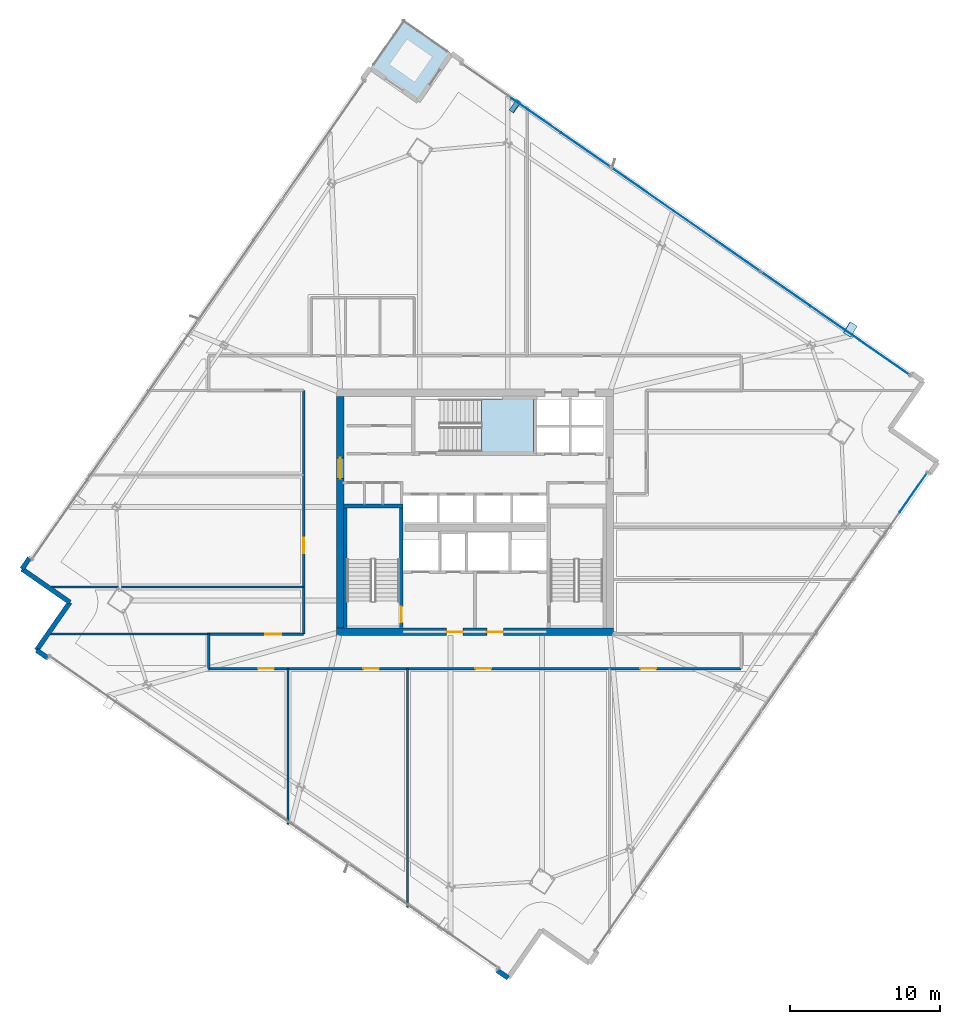
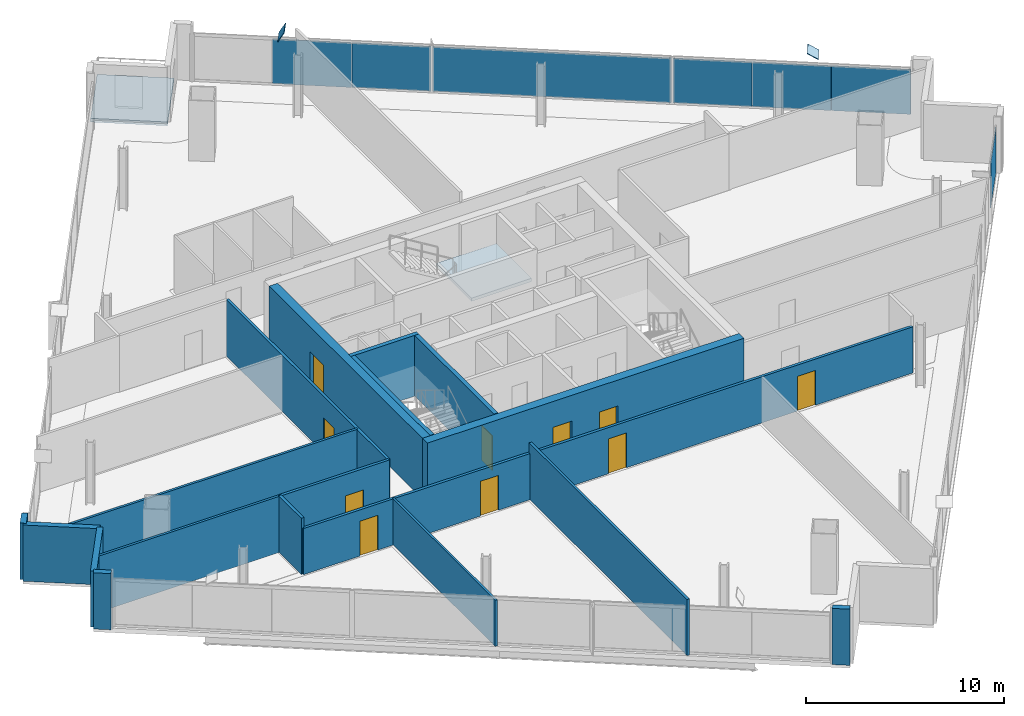
# One storey, part 22 of 30: 18 walls, 10 doors, 9 plates, 2 slabs, 10 openings, 3 elements without a shape of their own.
"""IFC4 building model written with IfcOpenShell, lengths in metres."""

import ifcopenshell
import ifcopenshell.guid

model = None  # the IFC model being written
_history = None  # IfcOwnerHistory: only IFC2X3 demands one
_inside = {}  # id of a spatial element -> (the spatial element, [elements in it])
_under = {}  # id of a project, library or spatial element -> (it, [spatial elements below it])
_declared = {}  # id of a project -> (the project, [libraries it declares])
_typed = {}  # id of a type object -> (the type object, [elements of that type])
_made_of = {}  # id of a material, layer set ... -> (it, [elements and type objects made of it])


def new_model(schema):
    """Start an empty IFC model of exactly this schema.

    Asked for "IFC4X3", IfcOpenShell would pick the latest addendum, in which some entities
    have other attributes; the version numbers below select the first issue.
    IFC2X3 requires an IfcOwnerHistory on every rooted entity: one is made here for all.
    """
    global model, _history
    if schema == "IFC4X3":
        model = ifcopenshell.file(schema_version=(4, 3, 0, 0))
    else:
        model = ifcopenshell.file(schema=schema)
    _inside.clear()
    _under.clear()
    _declared.clear()
    _typed.clear()
    _made_of.clear()
    _history = None
    if model.schema == "IFC2X3":
        org = make("IfcOrganization", Name="unknown")
        user = make(
            "IfcPersonAndOrganization",
            ThePerson=make("IfcPerson", FamilyName="unknown"),
            TheOrganization=org,
        )
        app = make(
            "IfcApplication",
            ApplicationDeveloper=org,
            Version="unknown",
            ApplicationFullName="unknown",
            ApplicationIdentifier="unknown",
        )
        _history = make(
            "IfcOwnerHistory",
            OwningUser=user,
            OwningApplication=app,
            ChangeAction="ADDED",
            CreationDate=0,
        )
    return model


def make(cls, **values):
    """One entity of the class cls with the attributes given. An attribute that is None is left unset."""
    return model.create_entity(
        cls, **{name: value for name, value in values.items() if value is not None}
    )


def rooted(cls, **values):
    """An entity with a GlobalId (a new one), such as an element, a storey or a relation."""
    return make(cls, GlobalId=ifcopenshell.guid.new(), OwnerHistory=_history, **values)


def si_unit(unit_type, name, prefix=None):
    """IfcSIUnit, for example si_unit("LENGTHUNIT", "METRE", prefix="MILLI")."""
    return make("IfcSIUnit", UnitType=unit_type, Prefix=prefix, Name=name)


def assignment(units):
    """IfcUnitAssignment: the units of a project."""
    return None if units is None else make("IfcUnitAssignment", Units=units)


def point(xyz):
    """IfcCartesianPoint."""
    return None if xyz is None else make("IfcCartesianPoint", Coordinates=xyz)


def direction(xyz):
    """IfcDirection."""
    return None if xyz is None else make("IfcDirection", DirectionRatios=xyz)


def frame(location, z_axis=None, x_axis=None):
    """IfcAxis2Placement3D, a coordinate frame: its origin and axes. An axis left out is left unset."""
    return make(
        "IfcAxis2Placement3D",
        Location=point(location),
        Axis=direction(z_axis),
        RefDirection=direction(x_axis),
    )


def frame_2d(location, x_axis=None):
    """IfcAxis2Placement2D, a coordinate frame in the plane: its origin and x axis."""
    return make(
        "IfcAxis2Placement2D", Location=point(location), RefDirection=direction(x_axis)
    )


def origin():
    """The frame at (0, 0, 0) with its axes left unset."""
    return frame((0.0, 0.0, 0.0))


def origin_2d():
    """The frame at (0, 0) in the plane with its x axis left unset."""
    return frame_2d((0.0, 0.0))


def place(relative_to, where):
    """IfcLocalPlacement: puts the frame where relative to a parent placement (None: the world)."""
    return make(
        "IfcLocalPlacement", PlacementRelTo=relative_to, RelativePlacement=where
    )


def context(
    kind, dimensions, precision=None, world=None, true_north=None, identifier=None
):
    """IfcGeometricRepresentationContext, for example the 3D "Model" context."""
    return make(
        "IfcGeometricRepresentationContext",
        ContextIdentifier=identifier,
        ContextType=kind,
        CoordinateSpaceDimension=dimensions,
        Precision=precision,
        WorldCoordinateSystem=world,
        TrueNorth=true_north,
    )


def subcontext(parent, identifier, kind, view, scale=None):
    """IfcGeometricRepresentationSubContext, for example "Body" below "Model"."""
    return make(
        "IfcGeometricRepresentationSubContext",
        ContextIdentifier=identifier,
        ContextType=kind,
        ParentContext=parent,
        TargetScale=scale,
        TargetView=view,
    )


def project(units=None, contexts=None):
    """IfcProject with its units and contexts."""
    return rooted(
        "IfcProject",
        Name="project",
        RepresentationContexts=contexts,
        UnitsInContext=assignment(units),
    )


def spatial(cls, under=None, at=None, **own):
    """A site, building, storey or space (cls), placed at a placement, below another one or the project."""
    s = rooted(cls, ObjectPlacement=at, **own)
    if under is not None:
        _under.setdefault(under.id(), (under, []))[1].append(s)
    return s


def polyline(points):
    """IfcPolyline through the points."""
    return make("IfcPolyline", Points=[point(p) for p in points])


def profile(cls, at=None, kind="AREA", **sizes):
    """A parametric profile (cls). Its sizes go by their IFC names, for example OverallWidth=200.0."""
    return make(cls, ProfileType=kind, Position=at, **sizes)


def rectangle(**sizes):
    """IfcRectangleProfileDef."""
    return profile("IfcRectangleProfileDef", **sizes)


def outline(outer, holes=None, kind="AREA"):
    """IfcArbitraryClosedProfileDef: a profile drawn as a closed curve; with holes, ...WithVoids."""
    if holes is None:
        return make("IfcArbitraryClosedProfileDef", ProfileType=kind, OuterCurve=outer)
    return make(
        "IfcArbitraryProfileDefWithVoids",
        ProfileType=kind,
        OuterCurve=outer,
        InnerCurves=holes,
    )


def extrude(swept, where, along, depth):
    """IfcExtrudedAreaSolid: the profile swept, set in the frame where, extruded along a direction by depth."""
    return make(
        "IfcExtrudedAreaSolid",
        SweptArea=swept,
        Position=where,
        ExtrudedDirection=direction(along),
        Depth=depth,
    )


def shape(context_of_items, identifier, shape_type, items):
    """IfcShapeRepresentation: the items that make up one representation, for example the "Body"."""
    return make(
        "IfcShapeRepresentation",
        ContextOfItems=context_of_items,
        RepresentationIdentifier=identifier,
        RepresentationType=shape_type,
        Items=items,
    )


def source(mapping_origin, context_of_items, identifier, shape_type, items):
    """IfcRepresentationMap: a shape defined once, which mapped items show again and again."""
    return make(
        "IfcRepresentationMap",
        MappingOrigin=mapping_origin,
        MappedRepresentation=shape(context_of_items, identifier, shape_type, items),
    )


def transform(
    local_origin,
    x_axis=None,
    y_axis=None,
    z_axis=None,
    scale=None,
    scale2=None,
    scale3=None,
    uniform=True,
):
    """IfcCartesianTransformationOperator3D, or its non-uniform kind. x_axis, y_axis, z_axis: its Axis1, 2, 3."""
    if uniform:
        return make(
            "IfcCartesianTransformationOperator3D",
            Axis1=direction(x_axis),
            Axis2=direction(y_axis),
            LocalOrigin=point(local_origin),
            Scale=scale,
            Axis3=direction(z_axis),
        )
    return make(
        "IfcCartesianTransformationOperator3DnonUniform",
        Axis1=direction(x_axis),
        Axis2=direction(y_axis),
        LocalOrigin=point(local_origin),
        Scale=scale,
        Axis3=direction(z_axis),
        Scale2=scale2,
        Scale3=scale3,
    )


def mapped(mapping_source, mapping_target):
    """IfcMappedItem: shows the shape of a source again, moved by a transform."""
    return make(
        "IfcMappedItem", MappingSource=mapping_source, MappingTarget=mapping_target
    )


def material(Name=None, Category=None):
    """IfcMaterial."""
    return make("IfcMaterial", Name=Name, Category=Category)


def layer(
    of_material, thickness, ventilated=None, Name=None, Category=None, Priority=None
):
    """IfcMaterialLayer: one layer of a wall or slab, of a material (None: an air gap)."""
    return make(
        "IfcMaterialLayer",
        Material=of_material,
        LayerThickness=thickness,
        IsVentilated=ventilated,
        Name=Name,
        Category=Category,
        Priority=Priority,
    )


def layer_set(layers, Name=None):
    """IfcMaterialLayerSet."""
    return make("IfcMaterialLayerSet", MaterialLayers=layers, LayerSetName=Name)


def made_of(thing, what):
    """Note that an element or type object is made of a material, layer set ...; save() writes the relation."""
    if what is not None:
        _made_of.setdefault(what.id(), (what, []))[1].append(thing)
    return thing


def type_object(cls, material=None, **own):
    """A type object (cls), such as IfcWallType, which elements share."""
    return made_of(rooted(cls, **own), material)


def element(
    cls,
    number,
    at=None,
    inside=None,
    cuts=None,
    type_object=None,
    material=None,
    context=None,
    identifier="Body",
    shape_type=None,
    held_by="IfcProductDefinitionShape",
    body=None,
    shapes=None,
    **own,
):
    """One element of the class cls, such as IfcWall. Its Tag is "e" and its number.

    at: its placement. inside: the storey or other place that contains it. cuts: it is an
    opening in that element (IfcRelVoidsElement). A single representation is given by context,
    identifier, shape_type and body (its items); several are given by shapes. held_by: the class
    of the entity that holds the representations. save() writes the other relations.
    """
    e = rooted(cls, Tag="e%d" % number, ObjectPlacement=at, **own)
    if body is not None:
        shapes = [shape(context, identifier, shape_type, body)]
    if shapes is not None:
        e.Representation = make(held_by, Representations=shapes)
    if inside is not None:
        _inside.setdefault(inside.id(), (inside, []))[1].append(e)
    if cuts is not None:
        rooted(
            "IfcRelVoidsElement", RelatingBuildingElement=cuts, RelatedOpeningElement=e
        )
    if type_object is not None:
        _typed.setdefault(type_object.id(), (type_object, []))[1].append(e)
    return made_of(e, material)


def fill(opening, filler):
    """IfcRelFillsElement: the door or window that sits in an opening."""
    return rooted(
        "IfcRelFillsElement",
        RelatingOpeningElement=opening,
        RelatedBuildingElement=filler,
    )


def aggregate(whole, parts):
    """IfcRelAggregates: a whole, such as a stair, and the parts it consists of."""
    return rooted("IfcRelAggregates", RelatingObject=whole, RelatedObjects=parts)


def save(model, path):
    """Write the relations noted so far, then the file.

    IfcRelAggregates (storeys below a building ...), IfcRelContainedInSpatialStructure (elements
    in a storey), IfcRelDefinesByType, IfcRelAssociatesMaterial and IfcRelDeclares: one each for
    every whole, place, type object, material and project.
    """
    for whole, parts in _under.values():
        aggregate(whole, parts)
    for where, things in _inside.values():
        rooted(
            "IfcRelContainedInSpatialStructure",
            RelatedElements=things,
            RelatingStructure=where,
        )
    for kind, things in _typed.values():
        rooted("IfcRelDefinesByType", RelatedObjects=things, RelatingType=kind)
    for what, things in _made_of.values():
        rooted("IfcRelAssociatesMaterial", RelatedObjects=things, RelatingMaterial=what)
    for by, libraries in _declared.values():
        rooted("IfcRelDeclares", RelatingContext=by, RelatedDefinitions=libraries)
    model.write(path)


model = new_model("IFC4")

# Units and contexts
model_context = context("Model", 3, precision=1e-05, world=origin(), true_north=direction((0.0, 1.0)))
body_context = subcontext(model_context, "Body", "Model", "MODEL_VIEW")
ifc_project = project(units=[si_unit("LENGTHUNIT", "METRE"), si_unit("AREAUNIT", "SQUARE_METRE"), si_unit("VOLUMEUNIT", "CUBIC_METRE"), si_unit("PLANEANGLEUNIT", "RADIAN"), si_unit("MASSUNIT", "GRAM", prefix="KILO")], contexts=[model_context])

# Site, building, storey
site_placement = place(None, origin())
site = spatial("IfcSite", under=ifc_project, at=site_placement, CompositionType="ELEMENT")
building_placement = place(site_placement, origin())
building = spatial("IfcBuilding", under=site, at=building_placement, Name="Haldenkirk Collegiate Tower", CompositionType="ELEMENT")
storey_placement = place(building_placement, frame((0.0, 0.0, 213.449951171875)))
storey = spatial("IfcBuildingStorey", under=building, at=storey_placement, Name="L53", CompositionType="ELEMENT", Elevation=213.449951171875)

# Stair, slab
ifc_material_1 = material(Name="Concrete f'c 40 MPa", Category="concrete")
stair_type = type_object("IfcStairType", Name="STR-DOGLEG-1650", PredefinedType="HALF_TURN_STAIR", material=ifc_material_1)
stair_placement = place(storey_placement, origin())
stair = element("IfcStair", 1, at=stair_placement, inside=storey, type_object=stair_type, Name="L53 Core Exit Stair ST-3", PredefinedType="HALF_TURN_STAIR")
ifc_layer_1 = layer(ifc_material_1, 0.199951171875)
ifc_layer_set_1 = layer_set([ifc_layer_1], Name="Concrete f'c 40 MPa")
slab_type_1 = type_object("IfcSlabType", Name="SLB-LANDING-200", PredefinedType="LANDING", material=ifc_layer_set_1)
slab_1_placement = place(storey_placement, frame((0.0, 0.0, 1.675048828125)))
slab_1 = element("IfcSlab", 2, at=slab_1_placement, type_object=slab_type_1, Name="ST-3 landing 1", PredefinedType="LANDING", context=body_context, shape_type="SweptSolid", body=[
    extrude(outline(polyline([(36.425048828125, 30.02490234375), (36.425048828125, 33.574951171875), (39.925048828125, 33.574951171875), (39.925048828125, 30.02490234375), (36.425048828125, 30.02490234375)])), origin(), (0.0, 0.0, 1.0), 0.199951171875),
])
aggregate(stair, [slab_1])

# Slab
ifc_layer_2 = layer(ifc_material_1, 0.22998046875)
ifc_layer_set_2 = layer_set([ifc_layer_2], Name="Concrete f'c 40 MPa")
slab_type_2 = type_object("IfcSlabType", Name="SLB-TERR-SPIRAL-230", PredefinedType="FLOOR", material=ifc_layer_set_2)
slab_2_placement = place(storey_placement, frame((0.0, 0.0, -0.22998046875)))
element("IfcSlab", 3, at=slab_2_placement, inside=storey, type_object=slab_type_2, Name="L53 spiralling corner terrace slab", PredefinedType="FLOOR", context=body_context, shape_type="SweptSolid", body=[
    extrude(outline(polyline([(32.205078125, 53.48095703125), (34.4306640625, 56.683349609375), (31.228271484375, 58.9091796875), (29.00244140625, 55.70654296875), (32.205078125, 53.48095703125)])), origin(), (0.0, 0.0, 1.0), 0.22998046875),
])

# Plates
ifc_material_2 = material(Name="Steel ASTM A572 Grade 50", Category="steel")
ifc_layer_3 = layer(ifc_material_2, 0.034912109375)
ifc_layer_set_3 = layer_set([ifc_layer_3], Name="Steel ASTM A572 Grade 50")
plate_type_1 = type_object("IfcPlateType", Name="PLT-CAP-EXT-760X600", PredefinedType="USERDEFINED", material=ifc_layer_set_3)
shared_shape_1 = source(origin(), body_context, "Body", "SweptSolid", [
    extrude(rectangle(XDim=0.860107421875, YDim=0.659912109375, at=origin_2d()), origin(), (0.0, 0.0, 1.0), 0.034912109375),
])
for number, where, z_axis, x_axis, name in (
    (4, (61.0888671875, 38.2265625, 3.45751953125), (0.463896725165, -0.275240836934, 0.84204650113), (0.510267172108, 0.860015937683, 2.80702e-07), "Perimeter Mega Brace Z4 L51-L53 EL end cap plate 2"),
    (5, (38.6943359375, 53.133544921875, 3.458740234375), (-0.713751074026, 0.494863051324, 0.495651051406), (-0.569776179504, -0.821799918027, 1.10839e-07), "Perimeter Mega Brace Z4 L51-L53 ER end cap plate 2"),
):
    element("IfcPlate", number, at=place(storey_placement, frame(where, z_axis=z_axis, x_axis=x_axis)), inside=storey, type_object=plate_type_1, Name=name, ObjectType="END CAP PLATE", PredefinedType="USERDEFINED", context=body_context, shape_type="MappedRepresentation", body=[
        mapped(shared_shape_1, transform((0.0, 0.0, 0.0), x_axis=(1.0, 0.0, 0.0), y_axis=(0.0, 1.0, 0.0), z_axis=(0.0, 0.0, 1.0), scale=1.0)),
    ])

# Curtain wall, plate
ifc_material_3 = material(Name="Anodised architectural bronze aluminium", Category="aluminium")
curtain_wall_type_1 = type_object("IfcCurtainWallType", Name="CW-SYS2-CONCAVE", PredefinedType="USERDEFINED", material=ifc_material_3)
curtain_wall_1_placement = place(storey_placement, origin())
curtain_wall_1 = element("IfcCurtainWall", 6, at=curtain_wall_1_placement, inside=storey, type_object=curtain_wall_type_1, Name="L53 South concave recessed bronze-anodised curtain wall", ObjectType="UNITISED CURTAIN WALL", PredefinedType="USERDEFINED")
ifc_material_4 = material(Name="Low-E argon triple insulating glass", Category="glass")
ifc_layer_4 = layer(ifc_material_4, 0.0419921875)
ifc_layer_set_4 = layer_set([ifc_layer_4], Name="Low-E argon triple insulating glass")
plate_type_2 = type_object("IfcPlateType", Name="CW-PNL-02", PredefinedType="CURTAIN_PANEL", material=ifc_layer_set_4)
shared_shape_2 = source(origin(), body_context, "Body", "SweptSolid", [
    extrude(rectangle(XDim=3.199951171875, YDim=0.0419921875, at=origin_2d()), origin(), (0.0, 0.0, 1.0), 2.778076171875),
])
plate_1_placement = place(storey_placement, frame((65.322265625, 27.327880859375, 0.0751953125), z_axis=(0.0, 0.0, 1.0), x_axis=(-0.570715550295, -0.82114783118, 0.0)))
plate_1 = element("IfcPlate", 7, at=plate_1_placement, type_object=plate_type_2, Name="CW-02 panel 1.1a", PredefinedType="CURTAIN_PANEL", context=body_context, shape_type="MappedRepresentation", body=[
    mapped(shared_shape_2, transform((0.0, 0.0, 0.0), x_axis=(1.0, 0.0, 0.0), y_axis=(0.0, 1.0, 0.0), z_axis=(0.0, 0.0, 1.0), scale=1.0)),
])
aggregate(curtain_wall_1, [plate_1])

# Curtain wall, plates
curtain_wall_type_2 = type_object("IfcCurtainWallType", Name="CW-SYS1B-CONVEX-HI", PredefinedType="USERDEFINED", material=ifc_material_3)
curtain_wall_2_placement = place(storey_placement, origin())
curtain_wall_2 = element("IfcCurtainWall", 8, at=curtain_wall_2_placement, inside=storey, type_object=curtain_wall_type_2, Name="L53 Upper tower high-wind convex bronze unitised curtain wall", ObjectType="UNITISED CURTAIN WALL", PredefinedType="USERDEFINED")
ifc_material_5 = material(Name="Bronze-anodised insulated aluminium spandrel panel", Category="aluminium")
ifc_layer_5 = layer(ifc_material_5, 0.048095703125)
ifc_layer_set_5 = layer_set([ifc_layer_5], Name="Bronze-anodised insulated aluminium spandrel panel")
plate_type_3 = type_object("IfcPlateType", Name="CW-SPD-1B", PredefinedType="CURTAIN_PANEL", material=ifc_layer_set_5)
shared_shape_3 = source(origin(), body_context, "Body", "SweptSolid", [
    extrude(rectangle(XDim=4.01171875, YDim=0.048095703125, at=origin_2d()), origin(), (0.0, 0.0, 1.0), 2.758056640625),
])
plate_2_placement = place(storey_placement, frame((43.403076171875, 50.228271484375, 0.0849609375), z_axis=(0.0, 0.0, 1.0), x_axis=(0.821149377472, -0.570713325478, 0.0)))
plate_2 = element("IfcPlate", 9, at=plate_2_placement, type_object=plate_type_3, Name="CW-1B spandrel panel 1.1c", PredefinedType="CURTAIN_PANEL", context=body_context, shape_type="MappedRepresentation", body=[
    mapped(shared_shape_3, transform((0.0, 0.0, 0.0), x_axis=(1.0, 0.0, 0.0), y_axis=(0.0, 1.0, 0.0), z_axis=(0.0, 0.0, 1.0), scale=1.0)),
])
ifc_layer_6 = layer(ifc_material_4, 0.048095703125)
ifc_layer_set_6 = layer_set([ifc_layer_6], Name="Low-E argon triple insulating glass")
plate_type_4 = type_object("IfcPlateType", Name="CW-PNL-1B", PredefinedType="CURTAIN_PANEL", material=ifc_layer_set_6)
plate_3_placement = place(storey_placement, frame((56.78515625, 40.927490234375, 0.0849609375), z_axis=(0.0, 0.0, 1.0), x_axis=(0.821149377472, -0.570713325478, 0.0)))
plate_3 = element("IfcPlate", 10, at=plate_3_placement, type_object=plate_type_4, Name="CW-1B panel 3.1a", PredefinedType="CURTAIN_PANEL", context=body_context, shape_type="MappedRepresentation", body=[
    mapped(shared_shape_3, transform((0.0, 0.0, 0.0), x_axis=(1.0, 0.0, 0.0), y_axis=(0.0, 1.0, 0.0), z_axis=(0.0, 0.0, 1.0), scale=1.0)),
])
plate_4_placement = place(storey_placement, frame((63.404296875, 36.326904296875, 0.0849609375), z_axis=(0.0, 0.0, 1.0), x_axis=(0.821149377472, -0.570713325478, 0.0)))
plate_4 = element("IfcPlate", 11, at=plate_4_placement, type_object=plate_type_4, Name="CW-1B panel 3.1c", PredefinedType="CURTAIN_PANEL", context=body_context, shape_type="MappedRepresentation", body=[
    mapped(shared_shape_3, transform((0.0, 0.0, 0.0), x_axis=(1.0, 0.0, 0.0), y_axis=(0.0, 1.0, 0.0), z_axis=(0.0, 0.0, 1.0), scale=1.0)),
])
shared_shape_4 = source(origin(), body_context, "Body", "SweptSolid", [
    extrude(rectangle(XDim=3.999267578125, YDim=0.048095703125, at=origin_2d()), origin(), (0.0, 0.0, 1.0), 2.758056640625),
])
plate_5_placement = place(storey_placement, frame((40.093505859375, 52.5283203125, 0.0849609375), z_axis=(0.0, 0.0, 1.0), x_axis=(0.821149377472, -0.570713325478, 0.0)))
plate_5 = element("IfcPlate", 12, at=plate_5_placement, type_object=plate_type_3, Name="CW-1B spandrel panel 1.1b", PredefinedType="CURTAIN_PANEL", context=body_context, shape_type="MappedRepresentation", body=[
    mapped(shared_shape_4, transform((0.0, 0.0, 0.0), x_axis=(1.0, 0.0, 0.0), y_axis=(0.0, 1.0, 0.0), z_axis=(0.0, 0.0, 1.0), scale=1.0)),
])
plate_6_placement = place(storey_placement, frame((60.0947265625, 38.627197265625, 0.0849609375), z_axis=(0.0, 0.0, 1.0), x_axis=(0.821149377472, -0.570713325478, 0.0)))
plate_6 = element("IfcPlate", 13, at=plate_6_placement, type_object=plate_type_3, Name="CW-1B spandrel panel 3.1b", PredefinedType="CURTAIN_PANEL", context=body_context, shape_type="MappedRepresentation", body=[
    mapped(shared_shape_4, transform((0.0, 0.0, 0.0), x_axis=(1.0, 0.0, 0.0), y_axis=(0.0, 1.0, 0.0), z_axis=(0.0, 0.0, 1.0), scale=1.0)),
])
shared_shape_5 = source(origin(), body_context, "Body", "SweptSolid", [
    extrude(rectangle(XDim=12.114990234375, YDim=0.048095703125, at=origin_2d()), origin(), (0.0, 0.0, 1.0), 2.758056640625),
])
plate_7_placement = place(storey_placement, frame((50.093994140625, 45.577880859375, 0.0849609375), z_axis=(0.0, 0.0, 1.0), x_axis=(0.821149377472, -0.570713325478, 0.0)))
plate_7 = element("IfcPlate", 14, at=plate_7_placement, type_object=plate_type_4, Name="CW-1B panel 2.1", PredefinedType="CURTAIN_PANEL", context=body_context, shape_type="MappedRepresentation", body=[
    mapped(shared_shape_5, transform((0.0, 0.0, 0.0), x_axis=(1.0, 0.0, 0.0), y_axis=(0.0, 1.0, 0.0), z_axis=(0.0, 0.0, 1.0), scale=1.0)),
])
aggregate(curtain_wall_2, [plate_5, plate_2, plate_7, plate_3, plate_6, plate_4])

# Wall, openings, doors
ifc_material_6 = material(Name="Concrete f'c 55 MPa", Category="concrete")
ifc_layer_7 = layer(ifc_material_6, 0.5)
ifc_layer_set_7 = layer_set([ifc_layer_7], Name="Concrete f'c 55 MPa")
wall_type_1 = type_object("IfcWallType", Name="WL-CORE-500", PredefinedType="SHEAR", material=ifc_layer_set_7)
wall_1_placement = place(storey_placement, frame((26.75, 18.0, 0.0), z_axis=(0.0, 0.0, 1.0), x_axis=(1.0, 0.0, 0.0)))
wall_1 = element("IfcWall", 15, at=wall_1_placement, inside=storey, type_object=wall_type_1, Name="L53 central core shear wall S", PredefinedType="SHEAR", context=body_context, shape_type="SweptSolid", body=[
    extrude(rectangle(XDim=18.5, YDim=0.5, at=frame_2d((9.25, 0.0))), origin(), (0.0, 0.0, 1.0), 3.75),
])
opening_1_placement = place(wall_1_placement, frame((7.35009765625, 0.0, 0.0)))
opening_1 = element("IfcOpeningElement", 16, at=opening_1_placement, cuts=wall_1, Name="Opening D-02", PredefinedType="OPENING", context=body_context, shape_type="SweptSolid", body=[
    extrude(rectangle(XDim=1.10009765625, YDim=2.14990234375, at=frame_2d((0.550048828125, 1.074951171875))), frame((0.0, 0.260009765625, 0.0), z_axis=(0.0, -1.0, 0.0), x_axis=(1.0, 0.0, 0.0)), (0.0, 0.0, 1.0), 0.52001953125),
])
opening_2_placement = place(wall_1_placement, frame((10.050048828125, 0.0, 0.0)))
opening_2 = element("IfcOpeningElement", 17, at=opening_2_placement, cuts=wall_1, Name="Opening D-02", PredefinedType="OPENING", context=body_context, shape_type="SweptSolid", body=[
    extrude(rectangle(XDim=1.10009765625, YDim=2.14990234375, at=frame_2d((0.550048828125, 1.074951171875))), frame((0.0, 0.260009765625, 0.0), z_axis=(0.0, -1.0, 0.0), x_axis=(1.0, 0.0, 0.0)), (0.0, 0.0, 1.0), 0.52001953125),
])
ifc_material_7 = material(Name="Galvanized fire-rated hollow steel door", Category="steel")
ifc_layer_8 = layer(ifc_material_7, 0.06005859375)
ifc_layer_set_8 = layer_set([ifc_layer_8], Name="Galvanized fire-rated hollow steel door")
door_type_1 = type_object("IfcDoorType", Name="DR-STAIR-FD90-1100", OperationType="NOTDEFINED", PredefinedType="DOOR", material=ifc_layer_set_8)
door_1_placement = place(opening_1_placement, origin())
door_1 = element("IfcDoor", 18, at=door_1_placement, inside=storey, type_object=door_type_1, Name="L53 Firefighting Lobby 1 door", OperationType="SINGLE_SWING_LEFT", OverallHeight=2.14990234375, OverallWidth=1.10009765625, PredefinedType="DOOR", context=body_context, shape_type="SweptSolid", body=[
    extrude(rectangle(XDim=1.10009765625, YDim=2.14990234375, at=frame_2d((0.550048828125, 1.074951171875))), frame((0.0, 0.02490234375, 0.0), z_axis=(0.0, -1.0, 0.0), x_axis=(1.0, 0.0, 0.0)), (0.0, 0.0, 1.0), 0.050048828125),
])
fill(opening_1, door_1)
door_2_placement = place(opening_2_placement, origin())
door_2 = element("IfcDoor", 19, at=door_2_placement, inside=storey, type_object=door_type_1, Name="L53 Firefighting Lobby 2 door", OperationType="SINGLE_SWING_RIGHT", OverallHeight=2.14990234375, OverallWidth=1.10009765625, PredefinedType="DOOR", context=body_context, shape_type="SweptSolid", body=[
    extrude(rectangle(XDim=1.10009765625, YDim=2.14990234375, at=frame_2d((0.550048828125, 1.074951171875))), frame((0.0, 0.02490234375, 0.0), z_axis=(0.0, -1.0, 0.0), x_axis=(1.0, 0.0, 0.0)), (0.0, 0.0, 1.0), 0.050048828125),
])
fill(opening_2, door_2)

# Wall, opening, door
wall_2_placement = place(storey_placement, frame((27.0, 18.25, 0.0), z_axis=(0.0, 0.0, 1.0), x_axis=(0.0, 1.0, 0.0)))
wall_2 = element("IfcWall", 20, at=wall_2_placement, inside=storey, type_object=wall_type_1, Name="L53 central core shear wall W", PredefinedType="SHEAR", context=body_context, shape_type="SweptSolid", body=[
    extrude(rectangle(XDim=15.5, YDim=0.5, at=frame_2d((7.75, 0.0))), origin(), (0.0, 0.0, 1.0), 3.75),
])
opening_3_placement = place(wall_2_placement, frame((9.989990234375, 0.0, 0.0)))
opening_3 = element("IfcOpeningElement", 21, at=opening_3_placement, cuts=wall_2, Name="Opening D-03", PredefinedType="OPENING", context=body_context, shape_type="SweptSolid", body=[
    extrude(rectangle(XDim=1.39990234375, YDim=2.199951171875, at=frame_2d((0.699951171875, 1.10009765625))), frame((0.0, 0.260009765625, 0.0), z_axis=(0.0, -1.0, 0.0), x_axis=(1.0, 0.0, 0.0)), (0.0, 0.0, 1.0), 0.52001953125),
])
ifc_layer_9 = layer(ifc_material_7, 0.06005859375)
ifc_layer_set_9 = layer_set([ifc_layer_9], Name="Galvanized fire-rated hollow steel door")
door_type_2 = type_object("IfcDoorType", Name="DR-LOBBY-FD90-1400", OperationType="NOTDEFINED", PredefinedType="DOOR", material=ifc_layer_set_9)
door_3_placement = place(opening_3_placement, origin())
door_3 = element("IfcDoor", 22, at=door_3_placement, inside=storey, type_object=door_type_2, Name="L53 west lift lobby portal", OperationType="DOUBLE_DOOR_SINGLE_SWING", OverallHeight=2.199951171875, OverallWidth=1.39990234375, PredefinedType="DOOR", context=body_context, shape_type="SweptSolid", body=[
    extrude(rectangle(XDim=1.39990234375, YDim=2.199951171875, at=frame_2d((0.699951171875, 1.10009765625))), frame((0.0, 0.02490234375, 0.0), z_axis=(0.0, -1.0, 0.0), x_axis=(1.0, 0.0, 0.0)), (0.0, 0.0, 1.0), 0.050048828125),
])
fill(opening_3, door_3)

# Walls
ifc_material_8 = material(Name="Precast concrete f'c 40 MPa", Category="concrete")
ifc_layer_10 = layer(ifc_material_8, 0.320068359375)
ifc_layer_set_10 = layer_set([ifc_layer_10], Name="Precast concrete f'c 40 MPa")
wall_type_2 = type_object("IfcWallType", Name="WL-EXT-TWR-320", PredefinedType="STANDARD", material=ifc_layer_set_10)
wall_3_placement = place(storey_placement, frame((5.71728515625, 22.203857421875, 0.0), z_axis=(0.0, 0.0, 1.0), x_axis=(0.570746526938, 0.821126300875, 0.0)))
element("IfcWall", 23, at=wall_3_placement, inside=storey, type_object=wall_type_2, Name="L53 precast corner pier NL", PredefinedType="STANDARD", context=body_context, shape_type="SweptSolid", body=[
    extrude(rectangle(XDim=0.89990234375, YDim=0.320068359375, at=frame_2d((0.449951171875, 0.0))), origin(), (0.0, 0.0, 1.0), 3.469970703125),
])
for number, where, z_axis, x_axis, name in (
    (24, (8.919921875, 19.97802734375, 0.0), (0.0, 0.0, 1.0), (-0.821156469931, 0.570703120625, 0.0), "L53 bronze precast notch wall 08"),
    (25, (6.694091796875, 16.775390625, 0.0), (0.0, 0.0, 1.0), (0.570703120625, 0.821156469931, 0.0), "L53 bronze precast notch wall 09"),
):
    element("IfcWall", number, at=place(storey_placement, frame(where, z_axis=z_axis, x_axis=x_axis)), inside=storey, type_object=wall_type_2, Name=name, PredefinedType="STANDARD", context=body_context, shape_type="SweptSolid", body=[
        extrude(rectangle(XDim=3.900146484375, YDim=0.320068359375, at=frame_2d((1.9501953125, 0.0))), origin(), (0.0, 0.0, 1.0), 3.469970703125),
    ])
for number, where, z_axis, x_axis, name in (
    (26, (38.226318359375, -5.139892578125, 0.0), (0.0, 0.0, 1.0), (-0.821126300875, 0.570746526938, 0.0), "L53 precast corner pier WL"),
    (27, (7.43310546875, 16.261962890625, 0.0), (0.0, 0.0, 1.0), (-0.821253430982, 0.570563582873, 0.0), "L53 precast corner pier WR"),
):
    element("IfcWall", number, at=place(storey_placement, frame(where, z_axis=z_axis, x_axis=x_axis)), inside=storey, type_object=wall_type_2, Name=name, PredefinedType="STANDARD", context=body_context, shape_type="SweptSolid", body=[
        extrude(rectangle(XDim=0.89990234375, YDim=0.320068359375, at=frame_2d((0.449951171875, 0.0))), origin(), (0.0, 0.0, 1.0), 3.469970703125),
    ])

# Wall, openings, doors
ifc_material_9 = material(Name="Acoustic fire-rated gypsum partition", Category="concrete")
ifc_layer_11 = layer(ifc_material_9, 0.159912109375)
ifc_layer_set_11 = layer_set([ifc_layer_11], Name="Acoustic fire-rated gypsum partition")
wall_type_3 = type_object("IfcWallType", Name="WL-INT-CORR-160", PredefinedType="PARTITIONING", material=ifc_layer_set_11)
wall_4_placement = place(storey_placement, frame((18.199951171875, 15.550048828125, 0.0), z_axis=(0.0, 0.0, 1.0), x_axis=(1.0, 0.0, 0.0)))
wall_4 = element("IfcWall", 28, at=wall_4_placement, inside=storey, type_object=wall_type_3, Name="L53 interior partition IW-L53-CS", PredefinedType="PARTITIONING", context=body_context, shape_type="SweptSolid", body=[
    extrude(rectangle(XDim=35.60009765625, YDim=0.159912109375, at=frame_2d((17.800048828125, 0.0))), origin(), (0.0, 0.0, 1.0), 2.84912109375),
])
opening_4_placement = place(wall_4_placement, frame((3.304931640625, 0.0, 0.0)))
opening_4 = element("IfcOpeningElement", 29, at=opening_4_placement, cuts=wall_4, Name="Opening D-09", PredefinedType="OPENING", context=body_context, shape_type="SweptSolid", body=[
    extrude(rectangle(XDim=1.050048828125, YDim=2.14990234375, at=frame_2d((0.52490234375, 1.074951171875))), frame((0.0, 0.08984375, 0.0), z_axis=(0.0, -1.0, 0.0), x_axis=(1.0, 0.0, 0.0)), (0.0, 0.0, 1.0), 0.179931640625),
])
opening_5_placement = place(wall_4_placement, frame((10.3349609375, 0.0, 0.0)))
opening_5 = element("IfcOpeningElement", 30, at=opening_5_placement, cuts=wall_4, Name="Opening D-09", PredefinedType="OPENING", context=body_context, shape_type="SweptSolid", body=[
    extrude(rectangle(XDim=1.050048828125, YDim=2.14990234375, at=frame_2d((0.52490234375, 1.074951171875))), frame((0.0, 0.08984375, 0.0), z_axis=(0.0, -1.0, 0.0), x_axis=(1.0, 0.0, 0.0)), (0.0, 0.0, 1.0), 0.179931640625),
])
opening_6_placement = place(wall_4_placement, frame((17.824951171875, 0.0, 0.0)))
opening_6 = element("IfcOpeningElement", 31, at=opening_6_placement, cuts=wall_4, Name="Opening D-09", PredefinedType="OPENING", context=body_context, shape_type="SweptSolid", body=[
    extrude(rectangle(XDim=1.050048828125, YDim=2.14990234375, at=frame_2d((0.52490234375, 1.074951171875))), frame((0.0, 0.08984375, 0.0), z_axis=(0.0, -1.0, 0.0), x_axis=(1.0, 0.0, 0.0)), (0.0, 0.0, 1.0), 0.179931640625),
])
opening_7_placement = place(wall_4_placement, frame((28.864990234375, 0.0, 0.0)))
opening_7 = element("IfcOpeningElement", 32, at=opening_7_placement, cuts=wall_4, Name="Opening D-09", PredefinedType="OPENING", context=body_context, shape_type="SweptSolid", body=[
    extrude(rectangle(XDim=1.050048828125, YDim=2.14990234375, at=frame_2d((0.52490234375, 1.074951171875))), frame((0.0, 0.08984375, 0.0), z_axis=(0.0, -1.0, 0.0), x_axis=(1.0, 0.0, 0.0)), (0.0, 0.0, 1.0), 0.179931640625),
])
ifc_material_10 = material(Name="Solid-core architectural oak fire door", Category="wood")
ifc_layer_12 = layer(ifc_material_10, 0.06005859375)
ifc_layer_set_12 = layer_set([ifc_layer_12], Name="Solid-core architectural oak fire door")
door_type_3 = type_object("IfcDoorType", Name="DR-INT-FD60-1050", OperationType="NOTDEFINED", PredefinedType="DOOR", material=ifc_layer_set_12)
door_4_placement = place(opening_4_placement, origin())
door_4 = element("IfcDoor", 33, at=door_4_placement, inside=storey, type_object=door_type_3, Name="L53 Academic Tea Kitchen 1 door", OperationType="SINGLE_SWING_LEFT", OverallHeight=2.14990234375, OverallWidth=1.050048828125, PredefinedType="DOOR", context=body_context, shape_type="SweptSolid", body=[
    extrude(rectangle(XDim=1.050048828125, YDim=2.14990234375, at=frame_2d((0.52490234375, 1.074951171875))), frame((0.0, 0.02490234375, 0.0), z_axis=(0.0, -1.0, 0.0), x_axis=(1.0, 0.0, 0.0)), (0.0, 0.0, 1.0), 0.050048828125),
])
fill(opening_4, door_4)
door_5_placement = place(opening_5_placement, origin())
door_5 = element("IfcDoor", 34, at=door_5_placement, inside=storey, type_object=door_type_3, Name="L53 Faculty Tea Kitchen 2 door", OperationType="SINGLE_SWING_RIGHT", OverallHeight=2.14990234375, OverallWidth=1.050048828125, PredefinedType="DOOR", context=body_context, shape_type="SweptSolid", body=[
    extrude(rectangle(XDim=1.050048828125, YDim=2.14990234375, at=frame_2d((0.52490234375, 1.074951171875))), frame((0.0, 0.02490234375, 0.0), z_axis=(0.0, -1.0, 0.0), x_axis=(1.0, 0.0, 0.0)), (0.0, 0.0, 1.0), 0.050048828125),
])
fill(opening_5, door_5)
door_6_placement = place(opening_6_placement, origin())
door_6 = element("IfcDoor", 35, at=door_6_placement, inside=storey, type_object=door_type_3, Name="L53 Hospitality Tea Kitchen 3 door", OperationType="SINGLE_SWING_LEFT", OverallHeight=2.14990234375, OverallWidth=1.050048828125, PredefinedType="DOOR", context=body_context, shape_type="SweptSolid", body=[
    extrude(rectangle(XDim=1.050048828125, YDim=2.14990234375, at=frame_2d((0.52490234375, 1.074951171875))), frame((0.0, 0.02490234375, 0.0), z_axis=(0.0, -1.0, 0.0), x_axis=(1.0, 0.0, 0.0)), (0.0, 0.0, 1.0), 0.050048828125),
])
fill(opening_6, door_6)
door_7_placement = place(opening_7_placement, origin())
door_7 = element("IfcDoor", 36, at=door_7_placement, inside=storey, type_object=door_type_3, Name="L53 Faculty Office 4 door", OperationType="SINGLE_SWING_RIGHT", OverallHeight=2.14990234375, OverallWidth=1.050048828125, PredefinedType="DOOR", context=body_context, shape_type="SweptSolid", body=[
    extrude(rectangle(XDim=1.050048828125, YDim=2.14990234375, at=frame_2d((0.52490234375, 1.074951171875))), frame((0.0, 0.02490234375, 0.0), z_axis=(0.0, -1.0, 0.0), x_axis=(1.0, 0.0, 0.0)), (0.0, 0.0, 1.0), 0.050048828125),
])
fill(opening_7, door_7)

# Wall, opening, door
wall_5_placement = place(storey_placement, frame((18.199951171875, 17.85009765625, 0.0), z_axis=(0.0, 0.0, 1.0), x_axis=(1.0, 0.0, 0.0)))
wall_5 = element("IfcWall", 37, at=wall_5_placement, inside=storey, type_object=wall_type_3, Name="L53 interior partition IW-L53-CSW", PredefinedType="PARTITIONING", context=body_context, shape_type="SweptSolid", body=[
    extrude(rectangle(XDim=6.35009765625, YDim=0.159912109375, at=frame_2d((3.175048828125, 0.0))), origin(), (0.0, 0.0, 1.0), 3.469970703125),
])
opening_8_placement = place(wall_5_placement, frame((3.79296875, 0.0, 0.0)))
opening_8 = element("IfcOpeningElement", 38, at=opening_8_placement, cuts=wall_5, Name="Opening D-09", PredefinedType="OPENING", context=body_context, shape_type="SweptSolid", body=[
    extrude(rectangle(XDim=1.050048828125, YDim=2.14990234375, at=frame_2d((0.52490234375, 1.074951171875))), frame((0.0, 0.08984375, 0.0), z_axis=(0.0, -1.0, 0.0), x_axis=(1.0, 0.0, 0.0)), (0.0, 0.0, 1.0), 0.179931640625),
])
door_8_placement = place(opening_8_placement, origin())
door_8 = element("IfcDoor", 39, at=door_8_placement, inside=storey, type_object=door_type_3, Name="L53 Academic Tea Kitchen 7 door", OperationType="SINGLE_SWING_LEFT", OverallHeight=2.14990234375, OverallWidth=1.050048828125, PredefinedType="DOOR", context=body_context, shape_type="SweptSolid", body=[
    extrude(rectangle(XDim=1.050048828125, YDim=2.14990234375, at=frame_2d((0.52490234375, 1.074951171875))), frame((0.0, 0.02490234375, 0.0), z_axis=(0.0, -1.0, 0.0), x_axis=(1.0, 0.0, 0.0)), (0.0, 0.0, 1.0), 0.050048828125),
])
fill(opening_8, door_8)

wall_6_placement = place(storey_placement, frame((24.550048828125, 17.85009765625, 0.0), z_axis=(0.0, 0.0, 1.0), x_axis=(0.0, 1.0, 0.0)))
wall_6 = element("IfcWall", 40, at=wall_6_placement, inside=storey, type_object=wall_type_3, Name="L53 interior partition IW-L53-CW", PredefinedType="PARTITIONING", context=body_context, shape_type="SweptSolid", body=[
    extrude(rectangle(XDim=16.2998046875, YDim=0.159912109375, at=frame_2d((8.14990234375, 0.0))), origin(), (0.0, 0.0, 1.0), 3.469970703125),
])
opening_9_placement = place(wall_6_placement, frame((5.39501953125, 0.0, 0.0)))
opening_9 = element("IfcOpeningElement", 41, at=opening_9_placement, cuts=wall_6, Name="Opening D-09", PredefinedType="OPENING", context=body_context, shape_type="SweptSolid", body=[
    extrude(rectangle(XDim=1.050048828125, YDim=2.14990234375, at=frame_2d((0.52490234375, 1.074951171875))), frame((0.0, 0.08984375, 0.0), z_axis=(0.0, -1.0, 0.0), x_axis=(1.0, 0.0, 0.0)), (0.0, 0.0, 1.0), 0.179931640625),
])
door_9_placement = place(opening_9_placement, origin())
door_9 = element("IfcDoor", 42, at=door_9_placement, inside=storey, type_object=door_type_3, Name="L53 Faculty Tea Kitchen 8 door", OperationType="SINGLE_SWING_RIGHT", OverallHeight=2.14990234375, OverallWidth=1.050048828125, PredefinedType="DOOR", context=body_context, shape_type="SweptSolid", body=[
    extrude(rectangle(XDim=1.050048828125, YDim=2.14990234375, at=frame_2d((0.52490234375, 1.074951171875))), frame((0.0, 0.02490234375, 0.0), z_axis=(0.0, -1.0, 0.0), x_axis=(1.0, 0.0, 0.0)), (0.0, 0.0, 1.0), 0.050048828125),
])
fill(opening_9, door_9)

# Walls
wall_7_placement = place(storey_placement, frame((18.199951171875, 15.550048828125, 0.0), z_axis=(0.0, 0.0, 1.0), x_axis=(0.0, 1.0, 0.0)))
element("IfcWall", 43, at=wall_7_placement, inside=storey, type_object=wall_type_3, Name="L53 interior partition IW-L53-CSL", PredefinedType="PARTITIONING", context=body_context, shape_type="SweptSolid", body=[
    extrude(rectangle(XDim=2.300048828125, YDim=0.159912109375, at=frame_2d((1.14990234375, 0.0))), origin(), (0.0, 0.0, 1.0), 3.469970703125),
])
ifc_layer_13 = layer(ifc_material_9, 0.139892578125)
ifc_layer_set_13 = layer_set([ifc_layer_13], Name="Acoustic fire-rated gypsum partition")
wall_type_4 = type_object("IfcWallType", Name="WL-INT-DIV-140", PredefinedType="PARTITIONING", material=ifc_layer_set_13)
wall_8_placement = place(storey_placement, frame((7.489501953125, 17.85009765625, 0.0), z_axis=(0.0, 0.0, 1.0), x_axis=(1.0, 0.0, 0.0)))
element("IfcWall", 44, at=wall_8_placement, inside=storey, type_object=wall_type_4, Name="L53 interior partition IW-L53-BWS", PredefinedType="PARTITIONING", context=body_context, shape_type="SweptSolid", body=[
    extrude(rectangle(XDim=10.71044921875, YDim=0.139892578125, at=frame_2d((5.355224609375, 0.0))), origin(), (0.0, 0.0, 1.0), 3.469970703125),
])
wall_9_placement = place(storey_placement, frame((31.5, -0.41650390625, 0.0), z_axis=(0.0, 0.0, 1.0), x_axis=(0.0, 1.0, 0.0)))
element("IfcWall", 45, at=wall_9_placement, inside=storey, type_object=wall_type_4, Name="L53 interior partition IW-L53-RS2", PredefinedType="PARTITIONING", context=body_context, shape_type="SweptSolid", body=[
    extrude(rectangle(XDim=15.966552734375, YDim=0.139892578125, at=frame_2d((7.9833984375, 0.0))), origin(), (0.0, 0.0, 1.0), 3.469970703125),
])
wall_10_placement = place(storey_placement, frame((7.51953125, 21.0, 0.0), z_axis=(0.0, 0.0, 1.0), x_axis=(1.0, 0.0, 0.0)))
element("IfcWall", 46, at=wall_10_placement, inside=storey, type_object=wall_type_4, Name="L53 interior partition IW-L53-RW1", PredefinedType="PARTITIONING", context=body_context, shape_type="SweptSolid", body=[
    extrude(rectangle(XDim=17.030517578125, YDim=0.139892578125, at=frame_2d((8.51513671875, 0.0))), origin(), (0.0, 0.0, 1.0), 3.469970703125),
])
ifc_layer_14 = layer(ifc_material_9, 0.1201171875)
ifc_layer_set_14 = layer_set([ifc_layer_14], Name="Acoustic fire-rated gypsum partition")
wall_type_5 = type_object("IfcWallType", Name="WL-INT-WET-120", PredefinedType="PARTITIONING", material=ifc_layer_set_14)
wall_11_placement = place(storey_placement, frame((23.5, 5.143798828125, 0.0), z_axis=(0.0, 0.0, 1.0), x_axis=(0.0, 1.0, 0.0)))
element("IfcWall", 47, at=wall_11_placement, inside=storey, type_object=wall_type_5, Name="L53 interior partition IW-L53-RS1", PredefinedType="PARTITIONING", context=body_context, shape_type="SweptSolid", body=[
    extrude(rectangle(XDim=10.40625, YDim=0.1201171875, at=frame_2d((5.203125, 0.0))), origin(), (0.0, 0.0, 1.0), 2.84912109375),
])

# Wall, opening, door
ifc_layer_15 = layer(ifc_material_6, 0.239990234375)
ifc_layer_set_15 = layer_set([ifc_layer_15], Name="Concrete f'c 55 MPa")
wall_type_6 = type_object("IfcWallType", Name="WL-SHAFT-240", PredefinedType="SHEAR", material=ifc_layer_set_15)
wall_12_placement = place(storey_placement, frame((31.070068359375, 18.280029296875, 0.0), z_axis=(0.0, 0.0, 1.0), x_axis=(0.0, 1.0, 0.0)))
wall_12 = element("IfcWall", 48, at=wall_12_placement, inside=storey, type_object=wall_type_6, Name="L53 stair shaft shear wall SW-L53-ST1E", PredefinedType="SHEAR", context=body_context, shape_type="SweptSolid", body=[
    extrude(rectangle(XDim=8.260009765625, YDim=0.239990234375, at=frame_2d((4.1298828125, 0.0))), origin(), (0.0, 0.0, 1.0), 3.75),
])
opening_10_placement = place(wall_12_placement, frame((0.364990234375, 0.0, 0.0)))
opening_10 = element("IfcOpeningElement", 49, at=opening_10_placement, cuts=wall_12, Name="Opening D-01", PredefinedType="OPENING", context=body_context, shape_type="SweptSolid", body=[
    extrude(rectangle(XDim=1.050048828125, YDim=2.14990234375, at=frame_2d((0.52490234375, 1.074951171875))), frame((0.0, 0.1298828125, 0.0), z_axis=(0.0, -1.0, 0.0), x_axis=(1.0, 0.0, 0.0)), (0.0, 0.0, 1.0), 0.260009765625),
])
ifc_layer_16 = layer(ifc_material_7, 0.06005859375)
ifc_layer_set_16 = layer_set([ifc_layer_16], Name="Galvanized fire-rated hollow steel door")
door_type_4 = type_object("IfcDoorType", Name="DR-STAIR-FD90-1050", OperationType="NOTDEFINED", PredefinedType="DOOR", material=ifc_layer_set_16)
door_10_placement = place(opening_10_placement, origin())
door_10 = element("IfcDoor", 50, at=door_10_placement, inside=storey, type_object=door_type_4, Name="L53 Stair 1 door", OperationType="SINGLE_SWING_LEFT", OverallHeight=2.14990234375, OverallWidth=1.050048828125, PredefinedType="DOOR", context=body_context, shape_type="SweptSolid", body=[
    extrude(rectangle(XDim=1.050048828125, YDim=2.14990234375, at=frame_2d((0.52490234375, 1.074951171875))), frame((0.0, 0.02490234375, 0.0), z_axis=(0.0, -1.0, 0.0), x_axis=(1.0, 0.0, 0.0)), (0.0, 0.0, 1.0), 0.050048828125),
])
fill(opening_10, door_10)

# Walls
wall_13_placement = place(storey_placement, frame((27.2099609375, 26.419921875, 0.0), z_axis=(0.0, 0.0, 1.0), x_axis=(1.0, 0.0, 0.0)))
element("IfcWall", 51, at=wall_13_placement, inside=storey, type_object=wall_type_6, Name="L53 stair shaft shear wall SW-L53-ST1N", PredefinedType="SHEAR", context=body_context, shape_type="SweptSolid", body=[
    extrude(rectangle(XDim=3.97998046875, YDim=0.239990234375, at=frame_2d((1.989990234375, 0.0))), origin(), (0.0, 0.0, 1.0), 3.75),
])
wall_14_placement = place(storey_placement, frame((27.330078125, 18.280029296875, 0.0), z_axis=(0.0, 0.0, 1.0), x_axis=(0.0, 1.0, 0.0)))
element("IfcWall", 52, at=wall_14_placement, inside=storey, type_object=wall_type_6, Name="L53 stair shaft shear wall SW-L53-ST1W", PredefinedType="SHEAR", context=body_context, shape_type="SweptSolid", body=[
    extrude(rectangle(XDim=8.260009765625, YDim=0.239990234375, at=frame_2d((4.1298828125, 0.0))), origin(), (0.0, 0.0, 1.0), 3.75),
])

save(model, "model.ifc")
